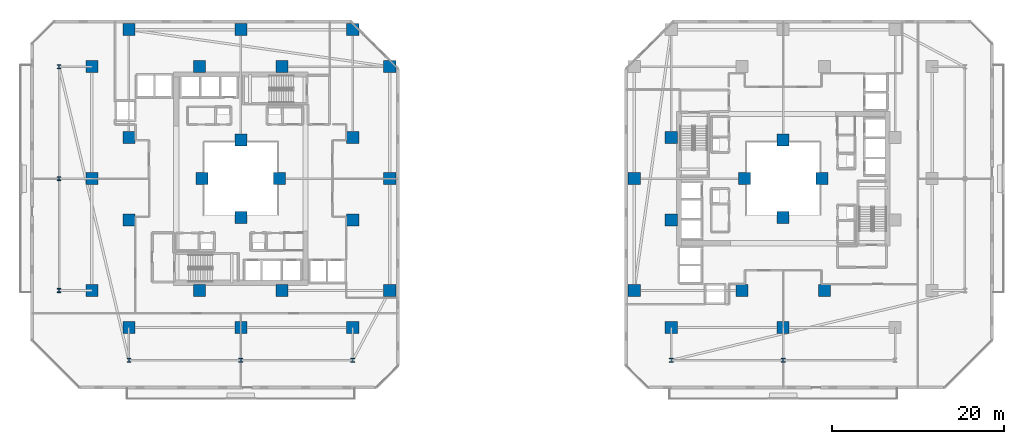
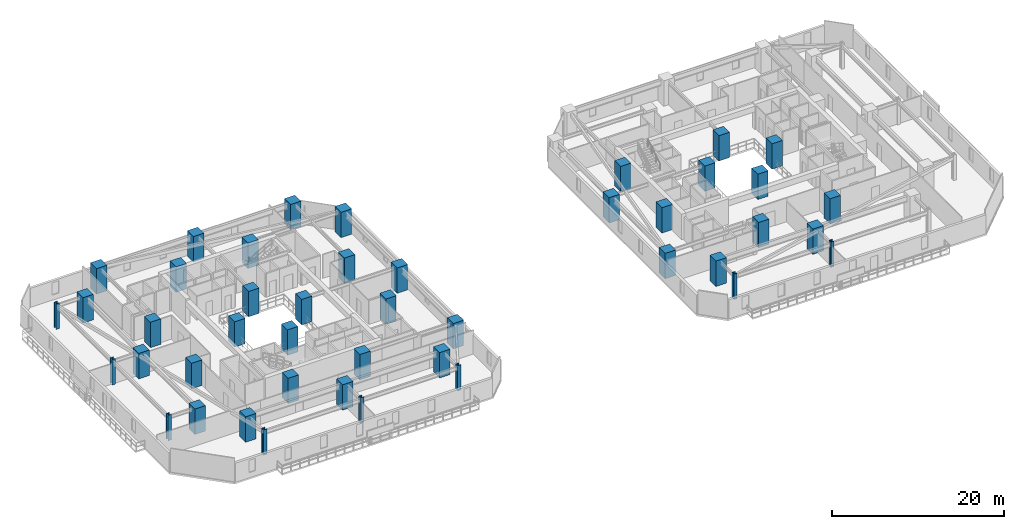
# One storey, part 1 of 33: 44 columns.
"""IFC4 building model written with IfcOpenShell, lengths in metres."""

from ifc_helpers import new_model, si_unit, direction, frame, origin, origin_2d, place, context, subcontext, project, spatial, rectangle, i_section, extrude, material, material_profile, profile_set, type_object, element, save


model = new_model("IFC4")

# Units and contexts
model_context = context("Model", 3, precision=1e-05, world=origin(), true_north=direction((0.0, 1.0)))
body_context = subcontext(model_context, "Body", "Model", "MODEL_VIEW")
ifc_project = project(units=[si_unit("LENGTHUNIT", "METRE"), si_unit("AREAUNIT", "SQUARE_METRE"), si_unit("VOLUMEUNIT", "CUBIC_METRE"), si_unit("PLANEANGLEUNIT", "RADIAN"), si_unit("MASSUNIT", "GRAM", prefix="KILO")], contexts=[model_context])

# Site, building, storey
site_placement = place(None, origin())
site = spatial("IfcSite", under=ifc_project, at=site_placement, CompositionType="ELEMENT")
building_placement = place(site_placement, origin())
building = spatial("IfcBuilding", under=site, at=building_placement, Name="Thornwick Lancets Civic Towers", CompositionType="ELEMENT")
storey_placement = place(building_placement, frame((0.0, 0.0, 35.10009765625)))
storey = spatial("IfcBuildingStorey", under=building, at=storey_placement, Name="L08", CompositionType="ELEMENT", Elevation=35.10009765625)

# Columns
ifc_material_1 = material(Name="Concrete C60/75", Category="concrete")
ifc_material_profile_1 = material_profile(ifc_material_1, rectangle(XDim=1.39990234375, YDim=1.39990234375, at=origin_2d()), Name="RC 1400x1400")
ifc_profile_set_1 = profile_set([ifc_material_profile_1], Name="Concrete C60/75")
column_type_1 = type_object("IfcColumnType", Name="COL_RC_1400", PredefinedType="COLUMN", material=ifc_profile_set_1)
for number, where, z_axis, x_axis, name in (
    (1, (12.5, 9.699951171875, 0.0), (0.0, 0.0, 1.0), (1.0, 0.0, 0.0), "L08 Spine Mega-Column A01"),
    (2, (25.5, 9.699951171875, 0.0), (0.0, 0.0, 1.0), (1.0, 0.0, 0.0), "L08 Spine Mega-Column A02"),
    (3, (38.5, 9.699951171875, 0.0), (0.0, 0.0, 1.0), (1.0, 0.0, 0.0), "L08 Spine Mega-Column A03"),
    (4, (42.800048828125, 14.0, 0.0), (0.0, 0.0, 1.0), (1.0, 0.0, 0.0), "L08 Spine Mega-Column A04"),
    (5, (42.800048828125, 27.0, 0.0), (0.0, 0.0, 1.0), (1.0, 0.0, 0.0), "L08 Spine Mega-Column A05"),
    (6, (42.800048828125, 40.0, 0.0), (0.0, 0.0, 1.0), (1.0, 0.0, 0.0), "L08 Spine Mega-Column A06"),
    (7, (12.5, 44.300048828125, 0.0), (0.0, 0.0, 1.0), (1.0, 0.0, 0.0), "L08 Spine Mega-Column A07"),
    (8, (25.5, 44.300048828125, 0.0), (0.0, 0.0, 1.0), (1.0, 0.0, 0.0), "L08 Spine Mega-Column A08"),
    (9, (38.5, 44.300048828125, 0.0), (0.0, 0.0, 1.0), (1.0, 0.0, 0.0), "L08 Spine Mega-Column A09"),
    (10, (8.199951171875, 14.0, 0.0), (0.0, 0.0, 1.0), (1.0, 0.0, 0.0), "L08 Spine Mega-Column A10"),
    (11, (8.199951171875, 27.0, 0.0), (0.0, 0.0, 1.0), (1.0, 0.0, 0.0), "L08 Spine Mega-Column A11"),
    (12, (8.199951171875, 40.0, 0.0), (0.0, 0.0, 1.0), (1.0, 0.0, 0.0), "L08 Spine Mega-Column A12"),
    (13, (12.5, 22.199951171875, 0.0), (0.0, 0.0, 1.0), (1.0, 0.0, 0.0), "L08 Spine Mega-Column A13"),
    (14, (38.5, 22.199951171875, 0.0), (0.0, 0.0, 1.0), (1.0, 0.0, 0.0), "L08 Spine Mega-Column A14"),
    (15, (12.5, 31.800048828125, 0.0), (0.0, 0.0, 1.0), (1.0, 0.0, 0.0), "L08 Spine Mega-Column A15"),
    (16, (38.5, 31.800048828125, 0.0), (0.0, 0.0, 1.0), (1.0, 0.0, 0.0), "L08 Spine Mega-Column A16"),
    (17, (20.699951171875, 14.0, 0.0), (0.0, 0.0, 1.0), (1.0, 0.0, 0.0), "L08 Spine Mega-Column A17"),
    (18, (30.300048828125, 14.0, 0.0), (0.0, 0.0, 1.0), (1.0, 0.0, 0.0), "L08 Spine Mega-Column A18"),
    (19, (20.699951171875, 40.0, 0.0), (0.0, 0.0, 1.0), (1.0, 0.0, 0.0), "L08 Spine Mega-Column A19"),
    (20, (30.300048828125, 40.0, 0.0), (0.0, 0.0, 1.0), (1.0, 0.0, 0.0), "L08 Spine Mega-Column A20"),
    (21, (25.5, 22.5, 0.0), (0.0, 0.0, 1.0), (1.0, 0.0, 0.0), "L08 Spine Mega-Column A21"),
    (22, (25.5, 31.5, 0.0), (0.0, 0.0, 1.0), (1.0, 0.0, 0.0), "L08 Spine Mega-Column A22"),
    (23, (21.0, 27.0, 0.0), (0.0, 0.0, 1.0), (1.0, 0.0, 0.0), "L08 Spine Mega-Column A23"),
    (24, (30.0, 27.0, 0.0), (0.0, 0.0, 1.0), (1.0, 0.0, 0.0), "L08 Spine Mega-Column A24"),
    (25, (71.199951171875, 14.0, 0.0), (0.0, 0.0, 1.0), (1.0, 0.0, 0.0), "L08 Spine Mega-Column B07"),
    (26, (71.199951171875, 27.0, 0.0), (0.0, 0.0, 1.0), (1.0, 0.0, 0.0), "L08 Spine Mega-Column B08"),
    (27, (88.5, 9.699951171875, 0.0), (0.0, 0.0, 1.0), (1.0, 0.0, 0.0), "L08 Spine Mega-Column B11"),
    (28, (75.5, 9.699951171875, 0.0), (0.0, 0.0, 1.0), (1.0, 0.0, 0.0), "L08 Spine Mega-Column B12"),
    (29, (93.300048828125, 14.0, 0.0), (0.0, 0.0, 1.0), (1.0, 0.0, 0.0), "L08 Spine Mega-Column B13"),
    (30, (83.699951171875, 14.0, 0.0), (0.0, 0.0, 1.0), (1.0, 0.0, 0.0), "L08 Spine Mega-Column B15"),
    (31, (75.5, 22.199951171875, 0.0), (0.0, 0.0, 1.0), (1.0, 0.0, 0.0), "L08 Spine Mega-Column B19"),
    (32, (75.5, 31.800048828125, 0.0), (0.0, 0.0, 1.0), (1.0, 0.0, 0.0), "L08 Spine Mega-Column B20"),
    (33, (93.0, 27.0, 0.0), (0.0, 0.0, 1.0), (1.0, 0.0, 0.0), "L08 Spine Mega-Column B21"),
    (34, (84.0, 27.0, 0.0), (0.0, 0.0, 1.0), (1.0, 0.0, 0.0), "L08 Spine Mega-Column B22"),
    (35, (88.5, 22.5, 0.0), (0.0, 0.0, 1.0), (1.0, 0.0, 0.0), "L08 Spine Mega-Column B23"),
    (36, (88.5, 31.5, 0.0), (0.0, 0.0, 1.0), (1.0, 0.0, 0.0), "L08 Spine Mega-Column B24"),
):
    element("IfcColumn", number, at=place(storey_placement, frame(where, z_axis=z_axis, x_axis=x_axis)), inside=storey, type_object=column_type_1, Name=name, PredefinedType="COLUMN", context=body_context, shape_type="SweptSolid", body=[
        extrude(rectangle(XDim=1.39990234375, YDim=1.39990234375, at=origin_2d()), origin(), (0.0, 0.0, 1.0), 3.599853515625),
    ])
ifc_material_2 = material(Name="Steel S460M", Category="steel")
ifc_material_profile_2 = material_profile(ifc_material_2, i_section(OverallWidth=0.424072265625, OverallDepth=0.474609375, WebThickness=0.047607421875, FlangeThickness=0.076904296875, FilletRadius=0.01513671875, at=origin_2d()), Name="UKC 356x406x634")
ifc_profile_set_2 = profile_set([ifc_material_profile_2], Name="Steel S460M")
column_type_2 = type_object("IfcColumnType", Name="COL_UKC_634", PredefinedType="COLUMN", material=ifc_profile_set_2)
for number, where, z_axis, x_axis, name in (
    (37, (12.5, 5.89990234375, 0.0), (0.0, 0.0, 1.0), (1.0, 0.0, 0.0), "L08 Block Perimeter Column A01"),
    (38, (25.5, 5.89990234375, 0.0), (0.0, 0.0, 1.0), (1.0, 0.0, 0.0), "L08 Block Perimeter Column A02"),
    (39, (38.5, 5.89990234375, 0.0), (0.0, 0.0, 1.0), (1.0, 0.0, 0.0), "L08 Block Perimeter Column A03"),
    (40, (4.39990234375, 14.0, 0.0), (0.0, 0.0, 1.0), (1.0, 0.0, 0.0), "L08 Block Perimeter Column A10"),
    (41, (4.39990234375, 27.0, 0.0), (0.0, 0.0, 1.0), (1.0, 0.0, 0.0), "L08 Block Perimeter Column A11"),
    (42, (4.39990234375, 40.0, 0.0), (0.0, 0.0, 1.0), (1.0, 0.0, 0.0), "L08 Block Perimeter Column A12"),
    (43, (88.5, 5.89990234375, 0.0), (0.0, 0.0, 1.0), (1.0, 0.0, 0.0), "L08 Block Perimeter Column B11"),
    (44, (75.5, 5.89990234375, 0.0), (0.0, 0.0, 1.0), (1.0, 0.0, 0.0), "L08 Block Perimeter Column B12"),
):
    element("IfcColumn", number, at=place(storey_placement, frame(where, z_axis=z_axis, x_axis=x_axis)), inside=storey, type_object=column_type_2, Name=name, PredefinedType="COLUMN", context=body_context, shape_type="SweptSolid", body=[
        extrude(i_section(OverallWidth=0.424072265625, OverallDepth=0.474609375, WebThickness=0.047607421875, FlangeThickness=0.076904296875, FilletRadius=0.01513671875, at=origin_2d()), origin(), (0.0, 0.0, 1.0), 3.599853515625),
    ])

save(model, "model.ifc")
